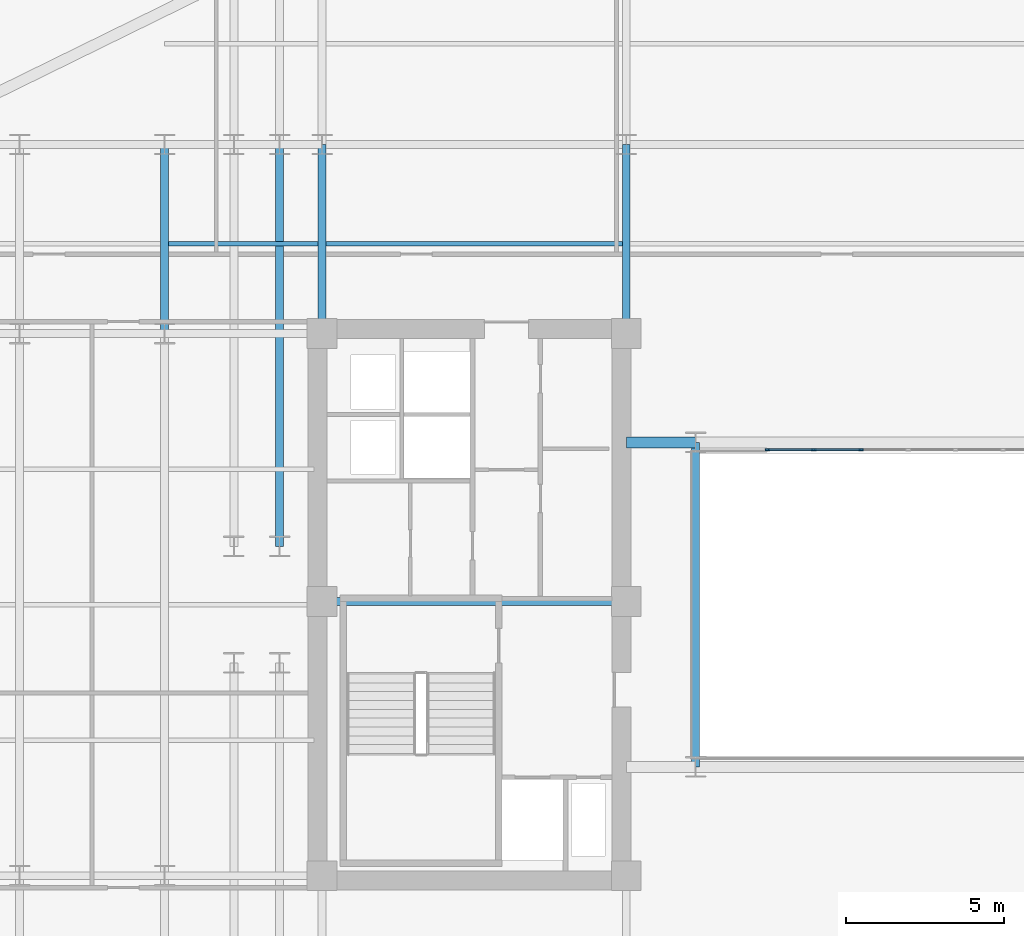
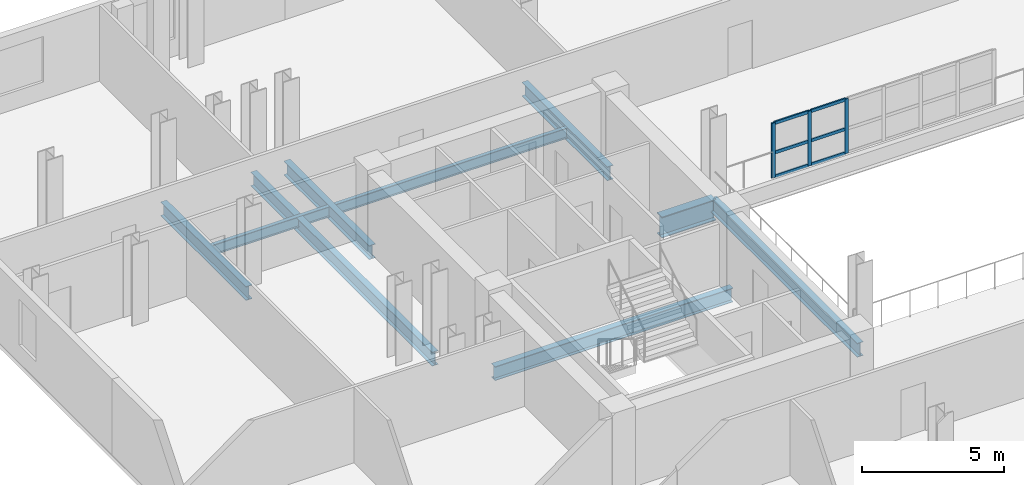
# One storey, part 2 of 12: 9 beams, 9 members, 1 element without a shape of its own.
"""IFC4 building model written with IfcOpenShell, lengths in metres."""

import ifcopenshell
import ifcopenshell.guid

model = None  # the IFC model being written
_history = None  # IfcOwnerHistory: only IFC2X3 demands one
_inside = {}  # id of a spatial element -> (the spatial element, [elements in it])
_under = {}  # id of a project, library or spatial element -> (it, [spatial elements below it])
_declared = {}  # id of a project -> (the project, [libraries it declares])
_typed = {}  # id of a type object -> (the type object, [elements of that type])
_made_of = {}  # id of a material, layer set ... -> (it, [elements and type objects made of it])


def new_model(schema):
    """Start an empty IFC model of exactly this schema.

    Asked for "IFC4X3", IfcOpenShell would pick the latest addendum, in which some entities
    have other attributes; the version numbers below select the first issue.
    IFC2X3 requires an IfcOwnerHistory on every rooted entity: one is made here for all.
    """
    global model, _history
    if schema == "IFC4X3":
        model = ifcopenshell.file(schema_version=(4, 3, 0, 0))
    else:
        model = ifcopenshell.file(schema=schema)
    _inside.clear()
    _under.clear()
    _declared.clear()
    _typed.clear()
    _made_of.clear()
    _history = None
    if model.schema == "IFC2X3":
        org = make("IfcOrganization", Name="unknown")
        user = make(
            "IfcPersonAndOrganization",
            ThePerson=make("IfcPerson", FamilyName="unknown"),
            TheOrganization=org,
        )
        app = make(
            "IfcApplication",
            ApplicationDeveloper=org,
            Version="unknown",
            ApplicationFullName="unknown",
            ApplicationIdentifier="unknown",
        )
        _history = make(
            "IfcOwnerHistory",
            OwningUser=user,
            OwningApplication=app,
            ChangeAction="ADDED",
            CreationDate=0,
        )
    return model


def make(cls, **values):
    """One entity of the class cls with the attributes given. An attribute that is None is left unset."""
    return model.create_entity(
        cls, **{name: value for name, value in values.items() if value is not None}
    )


def rooted(cls, **values):
    """An entity with a GlobalId (a new one), such as an element, a storey or a relation."""
    return make(cls, GlobalId=ifcopenshell.guid.new(), OwnerHistory=_history, **values)


def si_unit(unit_type, name, prefix=None):
    """IfcSIUnit, for example si_unit("LENGTHUNIT", "METRE", prefix="MILLI")."""
    return make("IfcSIUnit", UnitType=unit_type, Prefix=prefix, Name=name)


def assignment(units):
    """IfcUnitAssignment: the units of a project."""
    return None if units is None else make("IfcUnitAssignment", Units=units)


def point(xyz):
    """IfcCartesianPoint."""
    return None if xyz is None else make("IfcCartesianPoint", Coordinates=xyz)


def direction(xyz):
    """IfcDirection."""
    return None if xyz is None else make("IfcDirection", DirectionRatios=xyz)


def frame(location, z_axis=None, x_axis=None):
    """IfcAxis2Placement3D, a coordinate frame: its origin and axes. An axis left out is left unset."""
    return make(
        "IfcAxis2Placement3D",
        Location=point(location),
        Axis=direction(z_axis),
        RefDirection=direction(x_axis),
    )


def frame_2d(location, x_axis=None):
    """IfcAxis2Placement2D, a coordinate frame in the plane: its origin and x axis."""
    return make(
        "IfcAxis2Placement2D", Location=point(location), RefDirection=direction(x_axis)
    )


def origin():
    """The frame at (0, 0, 0) with its axes left unset."""
    return frame((0.0, 0.0, 0.0))


def origin_2d():
    """The frame at (0, 0) in the plane with its x axis left unset."""
    return frame_2d((0.0, 0.0))


def place(relative_to, where):
    """IfcLocalPlacement: puts the frame where relative to a parent placement (None: the world)."""
    return make(
        "IfcLocalPlacement", PlacementRelTo=relative_to, RelativePlacement=where
    )


def context(
    kind, dimensions, precision=None, world=None, true_north=None, identifier=None
):
    """IfcGeometricRepresentationContext, for example the 3D "Model" context."""
    return make(
        "IfcGeometricRepresentationContext",
        ContextIdentifier=identifier,
        ContextType=kind,
        CoordinateSpaceDimension=dimensions,
        Precision=precision,
        WorldCoordinateSystem=world,
        TrueNorth=true_north,
    )


def subcontext(parent, identifier, kind, view, scale=None):
    """IfcGeometricRepresentationSubContext, for example "Body" below "Model"."""
    return make(
        "IfcGeometricRepresentationSubContext",
        ContextIdentifier=identifier,
        ContextType=kind,
        ParentContext=parent,
        TargetScale=scale,
        TargetView=view,
    )


def project(units=None, contexts=None):
    """IfcProject with its units and contexts."""
    return rooted(
        "IfcProject",
        Name="project",
        RepresentationContexts=contexts,
        UnitsInContext=assignment(units),
    )


def spatial(cls, under=None, at=None, **own):
    """A site, building, storey or space (cls), placed at a placement, below another one or the project."""
    s = rooted(cls, ObjectPlacement=at, **own)
    if under is not None:
        _under.setdefault(under.id(), (under, []))[1].append(s)
    return s


def profile(cls, at=None, kind="AREA", **sizes):
    """A parametric profile (cls). Its sizes go by their IFC names, for example OverallWidth=200.0."""
    return make(cls, ProfileType=kind, Position=at, **sizes)


def rectangle(**sizes):
    """IfcRectangleProfileDef."""
    return profile("IfcRectangleProfileDef", **sizes)


def i_section(**sizes):
    """IfcIShapeProfileDef."""
    return profile("IfcIShapeProfileDef", **sizes)


def extrude(swept, where, along, depth):
    """IfcExtrudedAreaSolid: the profile swept, set in the frame where, extruded along a direction by depth."""
    return make(
        "IfcExtrudedAreaSolid",
        SweptArea=swept,
        Position=where,
        ExtrudedDirection=direction(along),
        Depth=depth,
    )


def shape(context_of_items, identifier, shape_type, items):
    """IfcShapeRepresentation: the items that make up one representation, for example the "Body"."""
    return make(
        "IfcShapeRepresentation",
        ContextOfItems=context_of_items,
        RepresentationIdentifier=identifier,
        RepresentationType=shape_type,
        Items=items,
    )


def material(Name=None, Category=None):
    """IfcMaterial."""
    return make("IfcMaterial", Name=Name, Category=Category)


def layer(
    of_material, thickness, ventilated=None, Name=None, Category=None, Priority=None
):
    """IfcMaterialLayer: one layer of a wall or slab, of a material (None: an air gap)."""
    return make(
        "IfcMaterialLayer",
        Material=of_material,
        LayerThickness=thickness,
        IsVentilated=ventilated,
        Name=Name,
        Category=Category,
        Priority=Priority,
    )


def layer_set(layers, Name=None):
    """IfcMaterialLayerSet."""
    return make("IfcMaterialLayerSet", MaterialLayers=layers, LayerSetName=Name)


def material_profile(
    of_material, cross_section, Name=None, Category=None, Priority=None
):
    """IfcMaterialProfile: a cross section and its material."""
    return make(
        "IfcMaterialProfile",
        Name=Name,
        Material=of_material,
        Profile=cross_section,
        Priority=Priority,
        Category=Category,
    )


def profile_set(profiles, Name=None, composite=None):
    """IfcMaterialProfileSet."""
    return make(
        "IfcMaterialProfileSet",
        Name=Name,
        MaterialProfiles=profiles,
        CompositeProfile=composite,
    )


def made_of(thing, what):
    """Note that an element or type object is made of a material, layer set ...; save() writes the relation."""
    if what is not None:
        _made_of.setdefault(what.id(), (what, []))[1].append(thing)
    return thing


def type_object(cls, material=None, **own):
    """A type object (cls), such as IfcWallType, which elements share."""
    return made_of(rooted(cls, **own), material)


def element(
    cls,
    number,
    at=None,
    inside=None,
    cuts=None,
    type_object=None,
    material=None,
    context=None,
    identifier="Body",
    shape_type=None,
    held_by="IfcProductDefinitionShape",
    body=None,
    shapes=None,
    **own,
):
    """One element of the class cls, such as IfcWall. Its Tag is "e" and its number.

    at: its placement. inside: the storey or other place that contains it. cuts: it is an
    opening in that element (IfcRelVoidsElement). A single representation is given by context,
    identifier, shape_type and body (its items); several are given by shapes. held_by: the class
    of the entity that holds the representations. save() writes the other relations.
    """
    e = rooted(cls, Tag="e%d" % number, ObjectPlacement=at, **own)
    if body is not None:
        shapes = [shape(context, identifier, shape_type, body)]
    if shapes is not None:
        e.Representation = make(held_by, Representations=shapes)
    if inside is not None:
        _inside.setdefault(inside.id(), (inside, []))[1].append(e)
    if cuts is not None:
        rooted(
            "IfcRelVoidsElement", RelatingBuildingElement=cuts, RelatedOpeningElement=e
        )
    if type_object is not None:
        _typed.setdefault(type_object.id(), (type_object, []))[1].append(e)
    return made_of(e, material)


def aggregate(whole, parts):
    """IfcRelAggregates: a whole, such as a stair, and the parts it consists of."""
    return rooted("IfcRelAggregates", RelatingObject=whole, RelatedObjects=parts)


def save(model, path):
    """Write the relations noted so far, then the file.

    IfcRelAggregates (storeys below a building ...), IfcRelContainedInSpatialStructure (elements
    in a storey), IfcRelDefinesByType, IfcRelAssociatesMaterial and IfcRelDeclares: one each for
    every whole, place, type object, material and project.
    """
    for whole, parts in _under.values():
        aggregate(whole, parts)
    for where, things in _inside.values():
        rooted(
            "IfcRelContainedInSpatialStructure",
            RelatedElements=things,
            RelatingStructure=where,
        )
    for kind, things in _typed.values():
        rooted("IfcRelDefinesByType", RelatedObjects=things, RelatingType=kind)
    for what, things in _made_of.values():
        rooted("IfcRelAssociatesMaterial", RelatedObjects=things, RelatingMaterial=what)
    for by, libraries in _declared.values():
        rooted("IfcRelDeclares", RelatingContext=by, RelatedDefinitions=libraries)
    model.write(path)


model = new_model("IFC4")

# Units and contexts
model_context = context("Model", 3, precision=1e-05, world=origin(), true_north=direction((0.0, 1.0)))
body_context = subcontext(model_context, "Body", "Model", "MODEL_VIEW")
ifc_project = project(units=[si_unit("LENGTHUNIT", "METRE"), si_unit("AREAUNIT", "SQUARE_METRE"), si_unit("VOLUMEUNIT", "CUBIC_METRE"), si_unit("PLANEANGLEUNIT", "RADIAN"), si_unit("MASSUNIT", "GRAM", prefix="KILO")], contexts=[model_context])

# Site, building, storey
site_placement = place(None, origin())
site = spatial("IfcSite", under=ifc_project, at=site_placement, CompositionType="ELEMENT")
building_placement = place(site_placement, origin())
building = spatial("IfcBuilding", under=site, at=building_placement, Name="Velakula Bourse", CompositionType="ELEMENT")
storey_placement = place(building_placement, frame((0.0, 0.0, 134.64990234375)))
storey = spatial("IfcBuildingStorey", under=building, at=storey_placement, Name="L36", CompositionType="ELEMENT", Elevation=134.64990234375)

# Beams
ifc_material_1 = material(Name="Steel IS 2062 Grade 350 (E350)", Category="steel")
ifc_material_profile_1 = material_profile(ifc_material_1, i_section(OverallWidth=0.25, OverallDepth=0.60009765625, WebThickness=0.01123046875, FlangeThickness=0.021240234375, at=origin_2d()), Name="Steel IS 2062 Grade 350 (E350)")
ifc_profile_set_1 = profile_set([ifc_material_profile_1], Name="Steel IS 2062 Grade 350 (E350)")
beam_type_1 = type_object("IfcBeamType", Name="BM-GRD-600M", PredefinedType="BEAM", material=ifc_profile_set_1)
beam_1_placement = place(storey_placement, frame((-18.60009765625, 0.10009765625, -0.47998046875), z_axis=(1.0, 0.0, 0.0), x_axis=(0.0, 1.0, 0.0)))
element("IfcBeam", 1, at=beam_1_placement, inside=storey, type_object=beam_type_1, Name="L36 Primary Backbone Girder CRW-M", PredefinedType="BEAM", context=body_context, shape_type="SweptSolid", body=[
    extrude(i_section(OverallWidth=0.25, OverallDepth=0.60009765625, WebThickness=0.01123046875, FlangeThickness=0.021240234375, at=origin_2d()), origin(), (0.0, 0.0, 1.0), 9.650146484375),
])
beam_2_placement = place(storey_placement, frame((-6.75, -5.14990234375, -0.47998046875), z_axis=(0.0, 1.0, 0.0), x_axis=(-1.0, 0.0, 0.0)))
element("IfcBeam", 2, at=beam_2_placement, inside=storey, type_object=beam_type_1, Name="L36 Primary Backbone Girder SPN-W", PredefinedType="BEAM", context=body_context, shape_type="SweptSolid", body=[
    extrude(i_section(OverallWidth=0.25, OverallDepth=0.60009765625, WebThickness=0.01123046875, FlangeThickness=0.021240234375, at=origin_2d()), origin(), (0.0, 0.0, 1.0), 10.2998046875),
])
for number, where, z_axis, x_axis, name in (
    (3, (-18.60009765625, 8.60009765625, -0.47998046875), (0.0, 1.0, 0.0), (-1.0, 0.0, 0.0), "L36 Fulcrum Grid Girder FLC-WN"),
    (4, (-8.949951171875, 8.60009765625, -0.47998046875), (0.0, 1.0, 0.0), (-1.0, 0.0, 0.0), "L36 Fulcrum Grid Girder FLC-WCN"),
):
    element("IfcBeam", number, at=place(storey_placement, frame(where, z_axis=z_axis, x_axis=x_axis)), inside=storey, type_object=beam_type_1, Name=name, PredefinedType="BEAM", context=body_context, shape_type="SweptSolid", body=[
        extrude(i_section(OverallWidth=0.25, OverallDepth=0.60009765625, WebThickness=0.01123046875, FlangeThickness=0.021240234375, at=origin_2d()), origin(), (0.0, 0.0, 1.0), 6.0),
    ])
beam_3_placement = place(storey_placement, frame((-19.949951171875, 1.85009765625, -0.47998046875), z_axis=(0.0, 1.0, 0.0), x_axis=(-1.0, 0.0, 0.0)))
element("IfcBeam", 5, at=beam_3_placement, inside=storey, type_object=beam_type_1, Name="L36 Fulcrum Grid Girder FLC-PNW2", PredefinedType="BEAM", context=body_context, shape_type="SweptSolid", body=[
    extrude(i_section(OverallWidth=0.25, OverallDepth=0.60009765625, WebThickness=0.01123046875, FlangeThickness=0.021240234375, at=origin_2d()), origin(), (0.0, 0.0, 1.0), 12.75),
])
beam_4_placement = place(storey_placement, frame((-23.60009765625, 8.60009765625, -0.47998046875), z_axis=(0.0, 1.0, 0.0), x_axis=(-1.0, 0.0, 0.0)))
element("IfcBeam", 6, at=beam_4_placement, inside=storey, type_object=beam_type_1, Name="L36 Fulcrum Grid Girder MWG-WNS3", PredefinedType="BEAM", context=body_context, shape_type="SweptSolid", body=[
    extrude(i_section(OverallWidth=0.25, OverallDepth=0.60009765625, WebThickness=0.01123046875, FlangeThickness=0.021240234375, at=origin_2d()), origin(), (0.0, 0.0, 1.0), 6.0),
])
ifc_material_profile_2 = material_profile(ifc_material_1, i_section(OverallWidth=0.35009765625, OverallDepth=0.89990234375, WebThickness=0.02001953125, FlangeThickness=0.031982421875, at=origin_2d()), Name="Steel IS 2062 Grade 350 (E350)")
ifc_profile_set_2 = profile_set([ifc_material_profile_2], Name="Steel IS 2062 Grade 350 (E350)")
beam_type_2 = type_object("IfcBeamType", Name="BM-LNK-900", PredefinedType="BEAM", material=ifc_profile_set_2)
beam_5_placement = place(storey_placement, frame((-8.949951171875, 5.14990234375, -0.6298828125), z_axis=(1.0, 0.0, 0.0), x_axis=(0.0, 1.0, 0.0)))
element("IfcBeam", 7, at=beam_5_placement, inside=storey, type_object=beam_type_2, Name="L36 Primary Backbone Girder LNK-N1", PredefinedType="BEAM", context=body_context, shape_type="SweptSolid", body=[
    extrude(i_section(OverallWidth=0.35009765625, OverallDepth=0.89990234375, WebThickness=0.02001953125, FlangeThickness=0.031982421875, at=origin_2d()), origin(), (0.0, 0.0, 1.0), 2.199951171875),
])
ifc_material_profile_3 = material_profile(ifc_material_1, i_section(OverallWidth=0.14990234375, OverallDepth=0.449951171875, WebThickness=0.009521484375, FlangeThickness=0.017333984375, at=origin_2d()), Name="Steel IS 2062 Grade 350 (E350)")
ifc_profile_set_3 = profile_set([ifc_material_profile_3], Name="Steel IS 2062 Grade 350 (E350)")
beam_type_3 = type_object("IfcBeamType", Name="JST-TWR-450", PredefinedType="JOIST", material=ifc_profile_set_3)
beam_6_placement = place(storey_placement, frame((-23.47509765625, 11.449951171875, -0.40478515625), z_axis=(1.0, 0.0, 0.0), x_axis=(0.0, 1.0, 0.0)))
element("IfcBeam", 8, at=beam_6_placement, inside=storey, type_object=beam_type_3, Name="L36 Trading Floor Composite Joist 11", PredefinedType="JOIST", context=body_context, shape_type="SweptSolid", body=[
    extrude(i_section(OverallWidth=0.14990234375, OverallDepth=0.449951171875, WebThickness=0.009521484375, FlangeThickness=0.017333984375, at=origin_2d()), origin(), (0.0, 0.0, 1.0), 4.75),
])
beam_7_placement = place(storey_placement, frame((-18.47509765625, 11.449951171875, -0.40478515625), z_axis=(1.0, 0.0, 0.0), x_axis=(0.0, 1.0, 0.0)))
element("IfcBeam", 9, at=beam_7_placement, inside=storey, type_object=beam_type_3, Name="L36 Trading Floor Composite Joist 12", PredefinedType="JOIST", context=body_context, shape_type="SweptSolid", body=[
    extrude(i_section(OverallWidth=0.14990234375, OverallDepth=0.449951171875, WebThickness=0.009521484375, FlangeThickness=0.017333984375, at=origin_2d()), origin(), (0.0, 0.0, 1.0), 9.400146484375),
])

# Curtain wall, members
ifc_material_2 = material(Name="Anodised bronze architectural aluminium", Category="aluminium")
ifc_layer = layer(ifc_material_2, 0.14990234375, Name="Anodised bronze architectural aluminium", Category="aluminium")
ifc_layer_set = layer_set([ifc_layer], Name="Anodised bronze architectural aluminium")
curtain_wall_type = type_object("IfcCurtainWallType", Name="CW-AT1", PredefinedType="NOTDEFINED", material=ifc_layer_set)
curtain_wall_placement = place(storey_placement, origin())
curtain_wall = element("IfcCurtainWall", 10, at=curtain_wall_placement, inside=storey, type_object=curtain_wall_type, Name="L36 Central Trading Atrium Fire-Rated Glazed Screen", PredefinedType="NOTDEFINED")
ifc_material_profile_4 = material_profile(ifc_material_2, rectangle(XDim=0.06005859375, YDim=0.14990234375, at=origin_2d()), Name="Anodised bronze architectural aluminium")
ifc_profile_set_4 = profile_set([ifc_material_profile_4], Name="Anodised bronze architectural aluminium")
member_type_1 = type_object("IfcMemberType", Name="MUL-CW-AT1", PredefinedType="MULLION", material=ifc_profile_set_4)
member_1_placement = place(storey_placement, frame((-4.469970703125, 4.919921875, 0.0), z_axis=(0.0, 0.0, 1.0), x_axis=(0.0, 1.0, 0.0)))
member_1 = element("IfcMember", 11, at=member_1_placement, type_object=member_type_1, Name="CW-AT1 mullion 1", PredefinedType="MULLION", context=body_context, shape_type="SweptSolid", body=[
    extrude(rectangle(XDim=0.06005859375, YDim=0.14990234375, at=origin_2d()), origin(), (0.0, 0.0, 1.0), 2.34521484375),
])
member_2_placement = place(storey_placement, frame((-3.0, 4.919921875, 0.0), z_axis=(0.0, 0.0, 1.0), x_axis=(0.0, 1.0, 0.0)))
member_2 = element("IfcMember", 12, at=member_2_placement, type_object=member_type_1, Name="CW-AT1 mullion 2", PredefinedType="MULLION", context=body_context, shape_type="SweptSolid", body=[
    extrude(rectangle(XDim=0.06005859375, YDim=0.14990234375, at=origin_2d()), origin(), (0.0, 0.0, 1.0), 2.34521484375),
])
member_3_placement = place(storey_placement, frame((-1.5, 4.919921875, 0.0), z_axis=(0.0, 0.0, 1.0), x_axis=(0.0, 1.0, 0.0)))
member_3 = element("IfcMember", 13, at=member_3_placement, type_object=member_type_1, Name="CW-AT1 mullion 3", PredefinedType="MULLION", context=body_context, shape_type="SweptSolid", body=[
    extrude(rectangle(XDim=0.06005859375, YDim=0.14990234375, at=origin_2d()), origin(), (0.0, 0.0, 1.0), 2.34521484375),
])
ifc_material_profile_5 = material_profile(ifc_material_2, rectangle(XDim=0.06005859375, YDim=0.1298828125, at=origin_2d()), Name="Anodised bronze architectural aluminium")
ifc_profile_set_5 = profile_set([ifc_material_profile_5], Name="Anodised bronze architectural aluminium")
member_type_2 = type_object("IfcMemberType", Name="TRN-CW-AT1", PredefinedType="USERDEFINED", material=ifc_profile_set_5)
member_4_placement = place(storey_placement, frame((-4.43994140625, 4.919921875, 0.030029296875), z_axis=(1.0, 0.0, 0.0), x_axis=(0.0, 1.0, 0.0)))
member_4 = element("IfcMember", 14, at=member_4_placement, type_object=member_type_2, Name="CW-AT1 transom 1.1", ObjectType="TRANSOM", PredefinedType="USERDEFINED", context=body_context, shape_type="SweptSolid", body=[
    extrude(rectangle(XDim=0.06005859375, YDim=0.1298828125, at=origin_2d()), origin(), (0.0, 0.0, 1.0), 1.409912109375),
])
member_5_placement = place(storey_placement, frame((-4.43994140625, 4.919921875, 1.055419921875), z_axis=(1.0, 0.0, 0.0), x_axis=(0.0, 1.0, 0.0)))
member_5 = element("IfcMember", 15, at=member_5_placement, type_object=member_type_2, Name="CW-AT1 transom 1.2", ObjectType="TRANSOM", PredefinedType="USERDEFINED", context=body_context, shape_type="SweptSolid", body=[
    extrude(rectangle(XDim=0.06005859375, YDim=0.1298828125, at=origin_2d()), origin(), (0.0, 0.0, 1.0), 1.409912109375),
])
member_6_placement = place(storey_placement, frame((-4.43994140625, 4.919921875, 2.315185546875), z_axis=(1.0, 0.0, 0.0), x_axis=(0.0, 1.0, 0.0)))
member_6 = element("IfcMember", 16, at=member_6_placement, type_object=member_type_2, Name="CW-AT1 transom 1.3", ObjectType="TRANSOM", PredefinedType="USERDEFINED", context=body_context, shape_type="SweptSolid", body=[
    extrude(rectangle(XDim=0.06005859375, YDim=0.1298828125, at=origin_2d()), origin(), (0.0, 0.0, 1.0), 1.409912109375),
])
member_7_placement = place(storey_placement, frame((-2.969970703125, 4.919921875, 0.030029296875), z_axis=(1.0, 0.0, 0.0), x_axis=(0.0, 1.0, 0.0)))
member_7 = element("IfcMember", 17, at=member_7_placement, type_object=member_type_2, Name="CW-AT1 transom 2.1", ObjectType="TRANSOM", PredefinedType="USERDEFINED", context=body_context, shape_type="SweptSolid", body=[
    extrude(rectangle(XDim=0.06005859375, YDim=0.1298828125, at=origin_2d()), origin(), (0.0, 0.0, 1.0), 1.43994140625),
])
member_8_placement = place(storey_placement, frame((-2.969970703125, 4.919921875, 1.055419921875), z_axis=(1.0, 0.0, 0.0), x_axis=(0.0, 1.0, 0.0)))
member_8 = element("IfcMember", 18, at=member_8_placement, type_object=member_type_2, Name="CW-AT1 transom 2.2", ObjectType="TRANSOM", PredefinedType="USERDEFINED", context=body_context, shape_type="SweptSolid", body=[
    extrude(rectangle(XDim=0.06005859375, YDim=0.1298828125, at=origin_2d()), origin(), (0.0, 0.0, 1.0), 1.43994140625),
])
member_9_placement = place(storey_placement, frame((-2.969970703125, 4.919921875, 2.315185546875), z_axis=(1.0, 0.0, 0.0), x_axis=(0.0, 1.0, 0.0)))
member_9 = element("IfcMember", 19, at=member_9_placement, type_object=member_type_2, Name="CW-AT1 transom 2.3", ObjectType="TRANSOM", PredefinedType="USERDEFINED", context=body_context, shape_type="SweptSolid", body=[
    extrude(rectangle(XDim=0.06005859375, YDim=0.1298828125, at=origin_2d()), origin(), (0.0, 0.0, 1.0), 1.43994140625),
])
aggregate(curtain_wall, [member_1, member_2, member_3, member_4, member_5, member_6, member_7, member_8, member_9])

save(model, "model.ifc")
